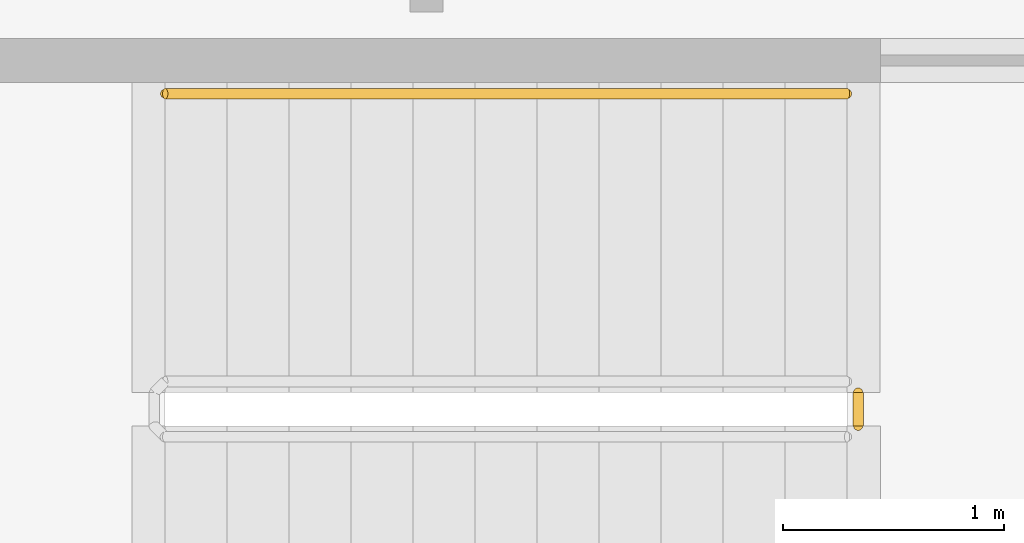
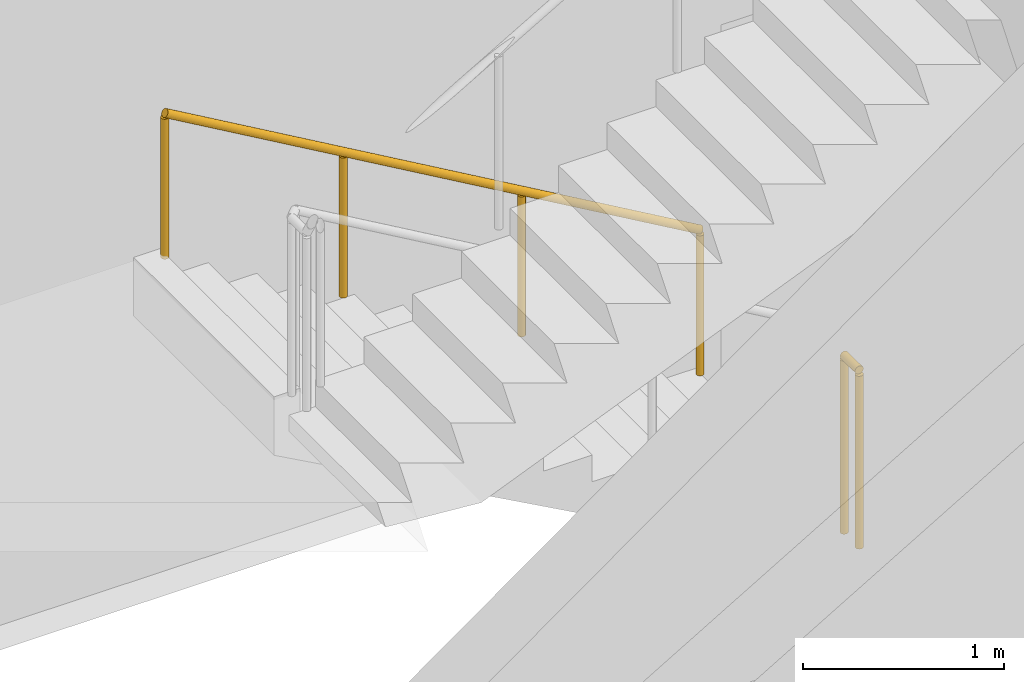
# One storey, part 19 of 22: 2 railings.
"""IFC4 building model written with IfcOpenShell, lengths in metres."""

from ifc_helpers import new_model, si_unit, direction, frame, origin, origin_2d, place, context, subcontext, project, spatial, circle, extrude, material, type_object, element, save


model = new_model("IFC4")

# Units and contexts
model_context = context("Model", 3, precision=1e-05, world=origin(), true_north=direction((0.0, 1.0)))
body_context = subcontext(model_context, "Body", "Model", "MODEL_VIEW")
ifc_project = project(units=[si_unit("LENGTHUNIT", "METRE"), si_unit("AREAUNIT", "SQUARE_METRE"), si_unit("VOLUMEUNIT", "CUBIC_METRE"), si_unit("PLANEANGLEUNIT", "RADIAN"), si_unit("MASSUNIT", "GRAM", prefix="KILO")], contexts=[model_context])

# Site, building, storey
site_placement = place(None, origin())
site = spatial("IfcSite", under=ifc_project, at=site_placement, CompositionType="ELEMENT")
building_placement = place(site_placement, origin())
building = spatial("IfcBuilding", under=site, at=building_placement, Name="Kheshtan School and Residences Tower", CompositionType="ELEMENT")
storey_placement = place(building_placement, frame((0.0, 0.0, 255.199951171875)))
storey = spatial("IfcBuildingStorey", under=building, at=storey_placement, Name="L60", CompositionType="ELEMENT", Elevation=255.199951171875)

# Railings
ifc_material_1 = material(Name="Stainless steel balustrade", Category="steel")
railing_type_1 = type_object("IfcRailingType", Name="Stair guard 1100", PredefinedType="GUARDRAIL", material=ifc_material_1)
railing_1_placement = place(storey_placement, frame((78.4599609375, 24.39990234375, 0.0)))
element("IfcRailing", 1, at=railing_1_placement, inside=storey, type_object=railing_type_1, Name="L60 ST5 stair guard 2", PredefinedType="GUARDRAIL", context=body_context, shape_type="SweptSolid", body=[
    extrude(circle(Radius=0.02392578125, at=origin_2d()), frame((0.0, 0.0, 1.076171875), z_axis=(0.0, -1.0, 0.0), x_axis=(1.0, 0.0, 0.0)), (0.0, 0.0, 1.0), 0.14990234375),
    extrude(circle(Radius=0.02099609375, at=origin_2d()), origin(), (0.0, 0.0, 1.0), 1.052001953125),
    extrude(circle(Radius=0.02099609375, at=origin_2d()), frame((0.0, -0.14990234375, 0.0)), (0.0, 0.0, 1.0), 1.052001953125),
])
ifc_material_2 = material(Name="Stainless steel handrail", Category="steel")
railing_type_2 = type_object("IfcRailingType", Name="Stair handrail 900", PredefinedType="HANDRAIL", material=ifc_material_2)
railing_2_placement = place(storey_placement, frame((78.409912109375, 25.75, 0.16259765625)))
element("IfcRailing", 2, at=railing_2_placement, inside=storey, type_object=railing_type_2, Name="L60 ST5 stair handrail 1", PredefinedType="HANDRAIL", context=body_context, shape_type="SweptSolid", body=[
    extrude(circle(Radius=0.02392578125, at=origin_2d()), frame((0.0, 0.0, 0.8759765625), z_axis=(-0.864903211148, 0.0, 0.501938676878), x_axis=(0.0, -1.0, 0.0)), (0.0, 0.0, 1.0), 3.560791015625),
    extrude(circle(Radius=0.02099609375, at=origin_2d()), origin(), (0.0, 0.0, 1.0), 0.851806640625),
    extrude(circle(Radius=0.02099609375, at=origin_2d()), frame((-1.026611328125, 0.0, 0.595703125)), (0.0, 0.0, 1.0), 0.851806640625),
    extrude(circle(Radius=0.02099609375, at=origin_2d()), frame((-2.05322265625, 0.0, 1.191650390625)), (0.0, 0.0, 1.0), 0.851806640625),
    extrude(circle(Radius=0.02099609375, at=origin_2d()), frame((-3.079833984375, 0.0, 1.787353515625)), (0.0, 0.0, 1.0), 0.851806640625),
])

save(model, "model.ifc")
